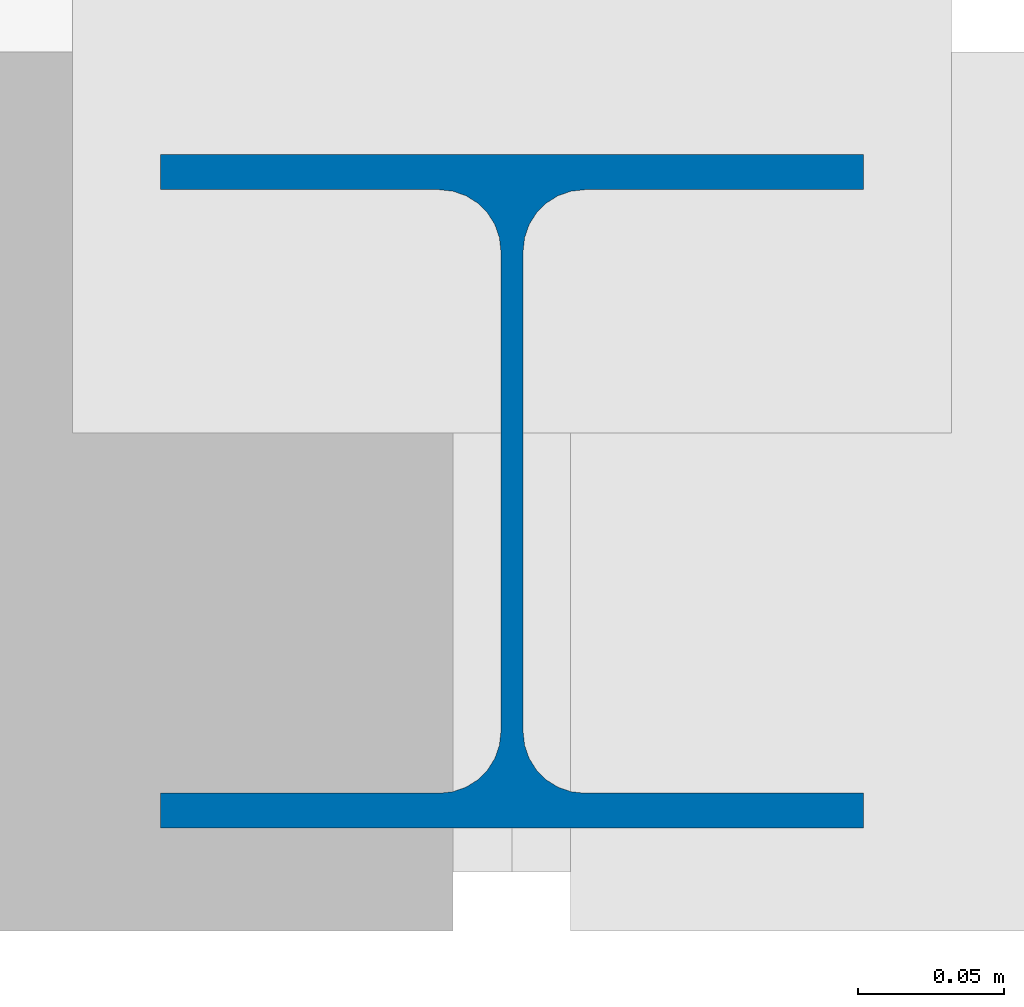
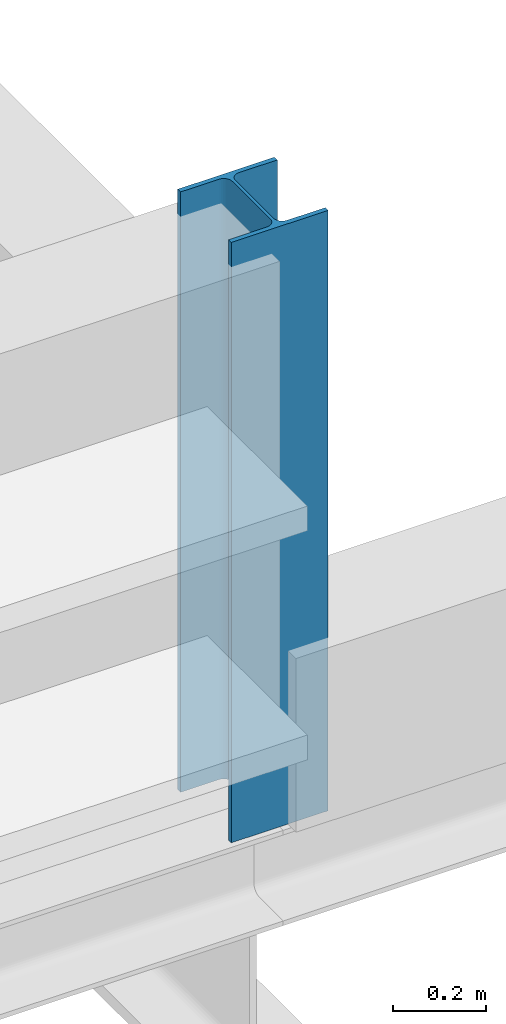
# One storey, part 3 of 34: 1 column.
"""IFC4 building model written with IfcOpenShell, lengths in metres."""

from ifc_helpers import new_model, si_unit, direction, frame, origin, origin_2d, place, context, subcontext, project, spatial, i_section, extrude, material, material_profile, profile_set, type_object, element, save


model = new_model("IFC4")

# Units and contexts
model_context = context("Model", 3, precision=1e-05, world=origin(), true_north=direction((0.0, 1.0)))
body_context = subcontext(model_context, "Body", "Model", "MODEL_VIEW")
ifc_project = project(units=[si_unit("LENGTHUNIT", "METRE"), si_unit("AREAUNIT", "SQUARE_METRE"), si_unit("VOLUMEUNIT", "CUBIC_METRE"), si_unit("PLANEANGLEUNIT", "RADIAN"), si_unit("MASSUNIT", "GRAM", prefix="KILO")], contexts=[model_context])

# Site, building, storey
site_placement = place(None, origin())
site = spatial("IfcSite", under=ifc_project, at=site_placement, CompositionType="ELEMENT")
building_placement = place(site_placement, origin())
building = spatial("IfcBuilding", under=site, at=building_placement, Name="Alderhovde Museum", CompositionType="ELEMENT")
storey_placement = place(building_placement, frame((0.0, 0.0, 25.800048828125)))
storey = spatial("IfcBuildingStorey", under=building, at=storey_placement, Name="L05", CompositionType="ELEMENT", Elevation=25.800048828125)

# Column
ifc_material = material(Name="Steel S355J2", Category="steel")
ifc_material_profile = material_profile(ifc_material, i_section(OverallWidth=0.239990234375, OverallDepth=0.22998046875, WebThickness=0.007568359375, FlangeThickness=0.011962890625, FilletRadius=0.02099609375, at=origin_2d()), Name="HEA 240")
ifc_profile_set = profile_set([ifc_material_profile], Name="Steel S355J2")
column_type = type_object("IfcColumnType", Name="COL-HEA240", PredefinedType="COLUMN", material=ifc_profile_set)
column_placement = place(storey_placement, frame((38.39990234375, 48.0, -0.260009765625), z_axis=(0.0, 0.0, 1.0), x_axis=(1.0, 0.0, 0.0)))
element("IfcColumn", 1, at=column_placement, inside=storey, type_object=column_type, Name="L05 Column (38.4, 48.0)", PredefinedType="COLUMN", context=body_context, shape_type="SweptSolid", body=[
    extrude(i_section(OverallWidth=0.239990234375, OverallDepth=0.22998046875, WebThickness=0.007568359375, FlangeThickness=0.011962890625, FilletRadius=0.02099609375, at=origin_2d()), origin(), (0.0, 0.0, 1.0), 1.5732421875),
])

save(model, "model.ifc")
